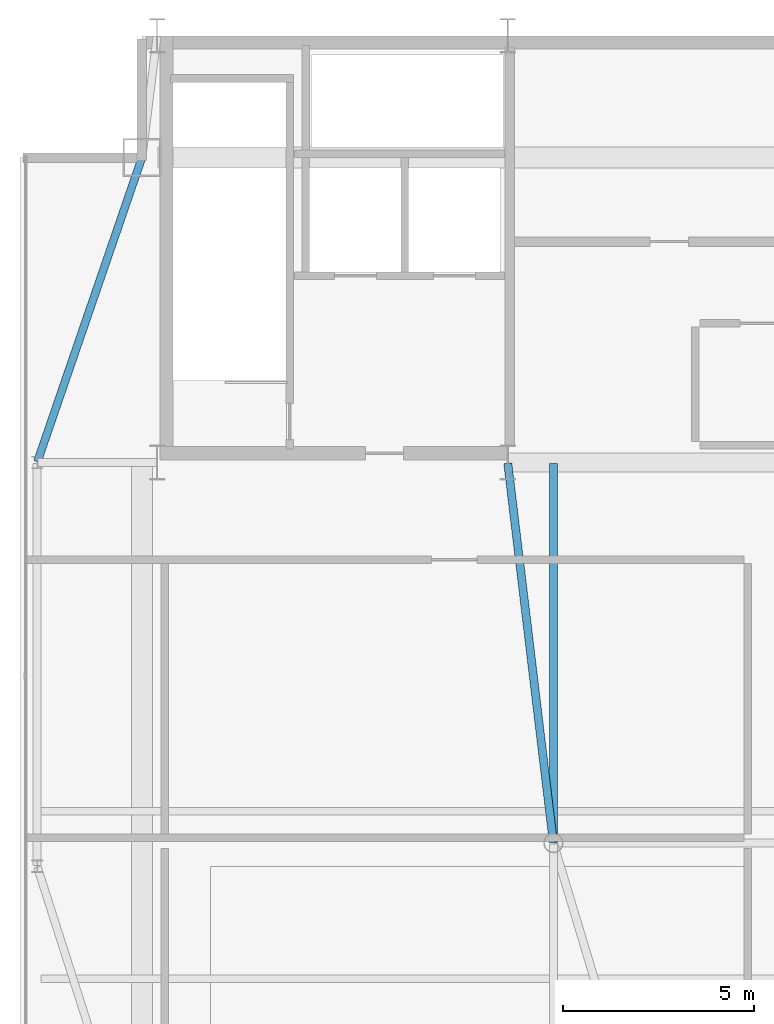
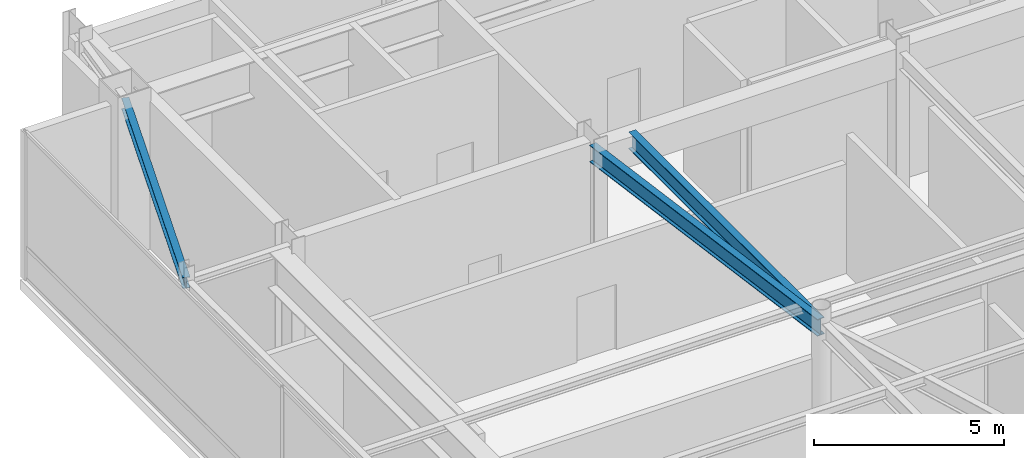
# One storey, part 11 of 20: 3 beams.
"""IFC4 building model written with IfcOpenShell, lengths in metres."""

from ifc_helpers import new_model, si_unit, direction, frame, origin, origin_2d, place, context, subcontext, project, spatial, i_section, extrude, source, transform, mapped, material, material_profile, profile_set, type_object, type_shapes, element, save


model = new_model("IFC4")

# Units and contexts
model_context = context("Model", 3, precision=1e-05, world=origin(), true_north=direction((0.0, 1.0)))
body_context = subcontext(model_context, "Body", "Model", "MODEL_VIEW")
ifc_project = project(units=[si_unit("LENGTHUNIT", "METRE"), si_unit("AREAUNIT", "SQUARE_METRE"), si_unit("VOLUMEUNIT", "CUBIC_METRE"), si_unit("PLANEANGLEUNIT", "RADIAN"), si_unit("MASSUNIT", "GRAM", prefix="KILO")], contexts=[model_context])

# Site, building, storey
site_placement = place(None, origin())
site = spatial("IfcSite", under=ifc_project, at=site_placement, CompositionType="ELEMENT")
building_placement = place(site_placement, origin())
building = spatial("IfcBuilding", under=site, at=building_placement, Name="Varnel Quay Broadcast Tower", CompositionType="ELEMENT")
storey_placement = place(building_placement, frame((0.0, 0.0, 314.60009765625)))
storey = spatial("IfcBuildingStorey", under=building, at=storey_placement, Name="L78", CompositionType="ELEMENT", Elevation=314.60009765625)

# Beams
ifc_material = material(Name="Structural Steel CSA G40.21 350W", Category="steel")
ifc_material_profile_1 = material_profile(ifc_material, i_section(OverallWidth=0.205078125, OverallDepth=0.35400390625, WebThickness=0.009521484375, FlangeThickness=0.016845703125, FilletRadius=0.012939453125, at=origin_2d()), Name="W360X79")
ifc_profile_set_1 = profile_set([ifc_material_profile_1], Name="Structural Steel CSA G40.21 350W")
beam_type_1 = type_object("IfcBeamType", Name="Beam_W360X79", PredefinedType="SPANDREL", material=ifc_profile_set_1)
shared_shape_1 = source(origin(), body_context, "Body", "SweptSolid", [
    extrude(i_section(OverallWidth=0.205078125, OverallDepth=0.35400390625, WebThickness=0.009521484375, FlangeThickness=0.016845703125, FilletRadius=0.012939453125, at=origin_2d()), origin(), (0.0, 0.0, 1.0), 8.41943359375),
])
type_shapes(beam_type_1, [shared_shape_1])
beam_1_placement = place(storey_placement, frame((12.45654296875, 35.618896484375, 4.572998046875), z_axis=(0.325087062108, 0.945684092099, 0.0), x_axis=(-0.945684092099, 0.325087062108, 0.0)))
element("IfcBeam", 1, at=beam_1_placement, inside=storey, type_object=beam_type_1, Name="L78 West Spandrel TC-W2-MC-NW", PredefinedType="SPANDREL", context=body_context, shape_type="MappedRepresentation", body=[
    mapped(shared_shape_1, transform((0.0, 0.0, 0.0), x_axis=(1.0, 0.0, 0.0), y_axis=(0.0, 1.0, 0.0), z_axis=(0.0, 0.0, 1.0), scale=1.0)),
])
ifc_material_profile_2 = material_profile(ifc_material, i_section(OverallWidth=0.2119140625, OverallDepth=0.5439453125, WebThickness=0.01318359375, FlangeThickness=0.021240234375, FilletRadius=0.013916015625, at=origin_2d()), Name="W530X123")
ifc_profile_set_2 = profile_set([ifc_material_profile_2], Name="Structural Steel CSA G40.21 350W")
beam_type_2 = type_object("IfcBeamType", Name="Girder_W530X123", PredefinedType="BEAM", material=ifc_profile_set_2)
shared_shape_2 = source(origin(), body_context, "Body", "SweptSolid", [
    extrude(i_section(OverallWidth=0.2119140625, OverallDepth=0.5439453125, WebThickness=0.01318359375, FlangeThickness=0.021240234375, FilletRadius=0.013916015625, at=origin_2d()), origin(), (0.0, 0.0, 1.0), 10.021728515625),
])
beam_2_placement = place(storey_placement, frame((25.99755859375, 25.6298828125, 4.477783203125), z_axis=(-0.119248005741, 0.992864498875, 0.0), x_axis=(-0.992864498875, -0.119248005741, 0.0)))
element("IfcBeam", 2, at=beam_2_placement, inside=storey, type_object=beam_type_2, Name="L78 Primary Girder IC-01-CC-S2", PredefinedType="BEAM", context=body_context, shape_type="MappedRepresentation", body=[
    mapped(shared_shape_2, transform((0.0, 0.0, 0.0), x_axis=(1.0, 0.0, 0.0), y_axis=(0.0, 1.0, 0.0), z_axis=(0.0, 0.0, 1.0), scale=1.0)),
])
shared_shape_3 = source(origin(), body_context, "Body", "SweptSolid", [
    extrude(i_section(OverallWidth=0.2119140625, OverallDepth=0.5439453125, WebThickness=0.01318359375, FlangeThickness=0.021240234375, FilletRadius=0.013916015625, at=origin_2d()), origin(), (0.0, 0.0, 1.0), 9.9501953125),
])
type_shapes(beam_type_2, [shared_shape_2, shared_shape_3])
beam_3_placement = place(storey_placement, frame((26.0, 25.6298828125, 4.477783203125), z_axis=(0.0, 1.0, 0.0), x_axis=(-1.0, 0.0, 0.0)))
element("IfcBeam", 3, at=beam_3_placement, inside=storey, type_object=beam_type_2, Name="L78 N-S Joist Header IC-01N", PredefinedType="BEAM", context=body_context, shape_type="MappedRepresentation", body=[
    mapped(shared_shape_3, transform((0.0, 0.0, 0.0), x_axis=(1.0, 0.0, 0.0), y_axis=(0.0, 1.0, 0.0), z_axis=(0.0, 0.0, 1.0), scale=1.0)),
])

save(model, "model.ifc")
